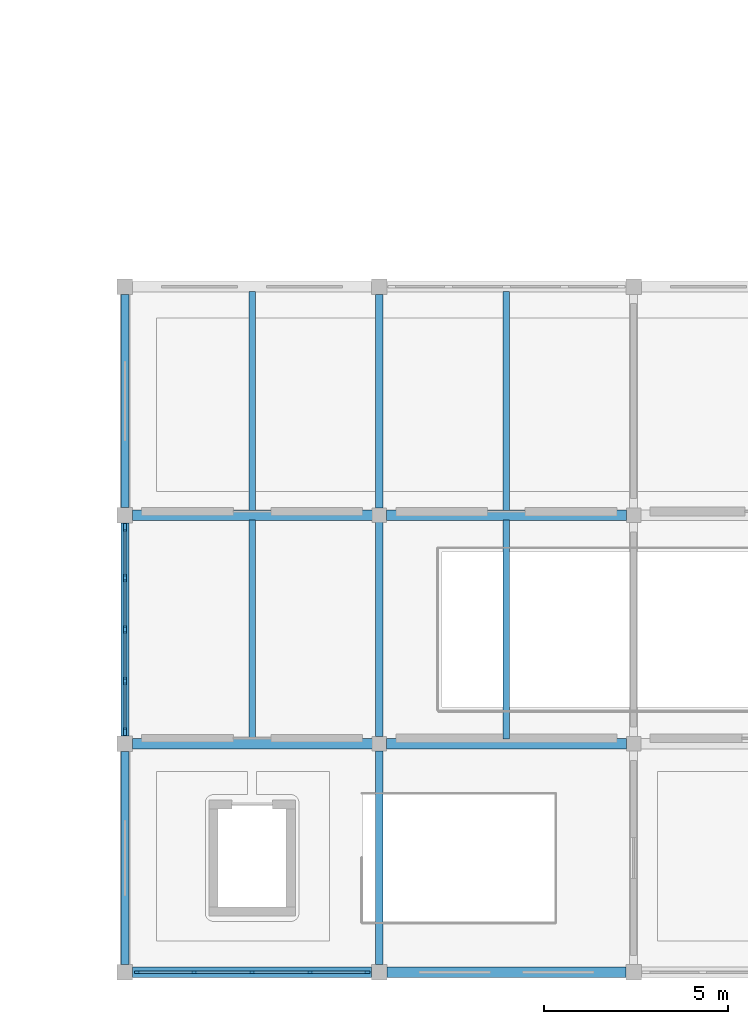
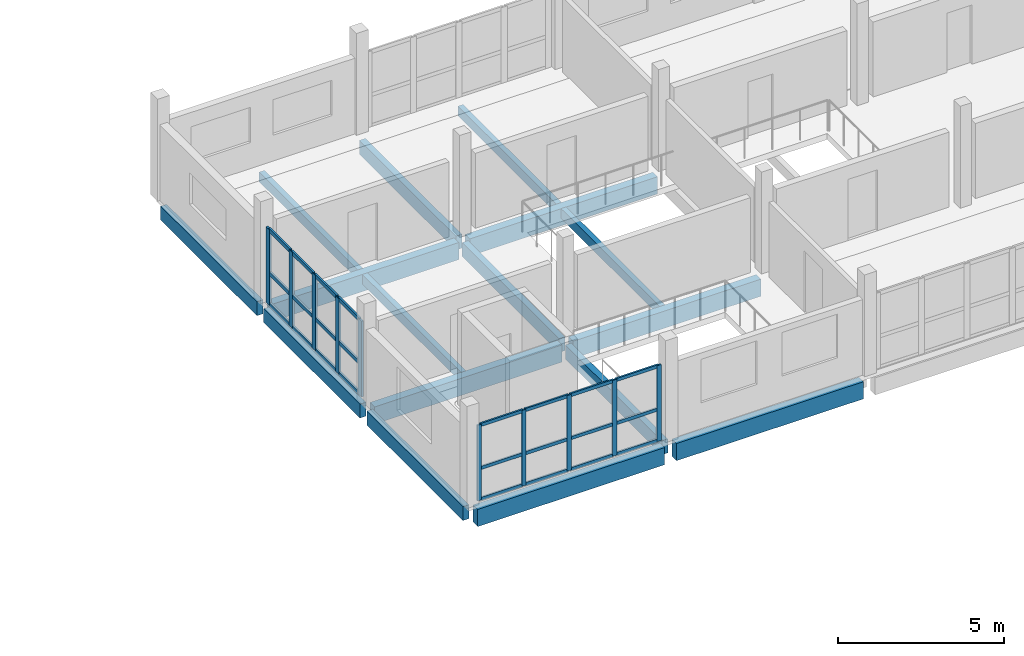
# One storey, part 25 of 77: 34 members, 16 beams, 2 elements without a shape of their own.
"""IFC4 building model written with IfcOpenShell, lengths in metres."""

from ifc_helpers import new_model, si_unit, direction, frame, origin, origin_2d, place, context, subcontext, project, spatial, rectangle, extrude, material, layer, layer_set, material_profile, profile_set, type_object, element, aggregate, save


model = new_model("IFC4")

# Units and contexts
model_context = context("Model", 3, precision=1e-05, world=origin(), true_north=direction((0.0, 1.0)))
body_context = subcontext(model_context, "Body", "Model", "MODEL_VIEW")
ifc_project = project(units=[si_unit("LENGTHUNIT", "METRE"), si_unit("AREAUNIT", "SQUARE_METRE"), si_unit("VOLUMEUNIT", "CUBIC_METRE"), si_unit("PLANEANGLEUNIT", "RADIAN"), si_unit("MASSUNIT", "GRAM", prefix="KILO")], contexts=[model_context])

# Site, building, storey
site_placement = place(None, origin())
site = spatial("IfcSite", under=ifc_project, at=site_placement, CompositionType="ELEMENT")
building_placement = place(site_placement, origin())
building = spatial("IfcBuilding", under=site, at=building_placement, Name="Caldaven Crescent School", CompositionType="ELEMENT")
storey_placement = place(building_placement, frame((0.0, 0.0, 4.419921875)))
storey = spatial("IfcBuildingStorey", under=building, at=storey_placement, Name="L01", CompositionType="ELEMENT", Elevation=4.419921875)

# Beams
ifc_material_1 = material(Name="Glulam MLE24h (GL28h)", Category="wood")
ifc_material_profile_1 = material_profile(ifc_material_1, rectangle(XDim=0.2099609375, YDim=0.510009765625, at=origin_2d()), Name="MLE 210x510")
ifc_profile_set_1 = profile_set([ifc_material_profile_1], Name="Glulam MLE24h (GL28h)")
beam_type_1 = type_object("IfcBeamType", Name="BM-GL51", PredefinedType="BEAM", material=ifc_profile_set_1)
for number, where, z_axis, x_axis, name in (
    (1, (122.89990234375, 4.405029296875, -0.474853515625), (0.0, 1.0, 0.0), (-1.0, 0.0, 0.0), "BMY-V3-L01-0479"),
    (2, (122.89990234375, 10.60498046875, -0.474853515625), (0.0, 1.0, 0.0), (-1.0, 0.0, 0.0), "BMY-V3-L01-0480"),
    (3, (122.89990234375, 16.804931640625, -0.474853515625), (0.0, 1.0, 0.0), (-1.0, 0.0, 0.0), "BMY-V3-L01-0481"),
):
    element("IfcBeam", number, at=place(storey_placement, frame(where, z_axis=z_axis, x_axis=x_axis)), inside=storey, type_object=beam_type_1, Name=name, PredefinedType="BEAM", context=body_context, shape_type="SweptSolid", body=[
        extrude(rectangle(XDim=0.2099609375, YDim=0.510009765625, at=origin_2d()), origin(), (0.0, 0.0, 1.0), 5.7900390625),
    ])
beam_1_placement = place(storey_placement, frame((129.800048828125, 4.405029296875, -0.474853515625), z_axis=(0.0, 1.0, 0.0), x_axis=(-1.0, 0.0, 0.0)))
element("IfcBeam", 4, at=beam_1_placement, inside=storey, type_object=beam_type_1, Name="BMY-V3-L01-0482", PredefinedType="BEAM", context=body_context, shape_type="SweptSolid", body=[
    extrude(rectangle(XDim=0.2099609375, YDim=0.510009765625, at=origin_2d()), origin(), (0.0, 0.0, 1.0), 5.804931640625),
])
beam_2_placement = place(storey_placement, frame((129.800048828125, 10.590087890625, -0.474853515625), z_axis=(0.0, 1.0, 0.0), x_axis=(-1.0, 0.0, 0.0)))
element("IfcBeam", 5, at=beam_2_placement, inside=storey, type_object=beam_type_1, Name="BMY-V3-L01-0483", PredefinedType="BEAM", context=body_context, shape_type="SweptSolid", body=[
    extrude(rectangle(XDim=0.2099609375, YDim=0.510009765625, at=origin_2d()), origin(), (0.0, 0.0, 1.0), 5.81982421875),
])
beam_3_placement = place(storey_placement, frame((129.800048828125, 16.7900390625, -0.474853515625), z_axis=(0.0, 1.0, 0.0), x_axis=(-1.0, 0.0, 0.0)))
element("IfcBeam", 6, at=beam_3_placement, inside=storey, type_object=beam_type_1, Name="BMY-V3-L01-0484", PredefinedType="BEAM", context=body_context, shape_type="SweptSolid", body=[
    extrude(rectangle(XDim=0.2099609375, YDim=0.510009765625, at=origin_2d()), origin(), (0.0, 0.0, 1.0), 5.804931640625),
])
ifc_material_profile_2 = material_profile(ifc_material_1, rectangle(XDim=0.280029296875, YDim=0.6298828125, at=origin_2d()), Name="MLE 280x630")
ifc_profile_set_2 = profile_set([ifc_material_profile_2], Name="Glulam MLE24h (GL28h)")
beam_type_2 = type_object("IfcBeamType", Name="BM-GL63", PredefinedType="BEAM", material=ifc_profile_set_2)
beam_4_placement = place(storey_placement, frame((123.10498046875, 4.199951171875, -0.534912109375), z_axis=(1.0, 0.0, 0.0), x_axis=(0.0, 1.0, 0.0)))
element("IfcBeam", 7, at=beam_4_placement, inside=storey, type_object=beam_type_2, Name="BMX-V3-L01-0463", PredefinedType="BEAM", context=body_context, shape_type="SweptSolid", body=[
    extrude(rectangle(XDim=0.280029296875, YDim=0.6298828125, at=origin_2d()), origin(), (0.0, 0.0, 1.0), 6.489990234375),
])
beam_5_placement = place(storey_placement, frame((130.0048828125, 4.199951171875, -0.534912109375), z_axis=(1.0, 0.0, 0.0), x_axis=(0.0, 1.0, 0.0)))
element("IfcBeam", 8, at=beam_5_placement, inside=storey, type_object=beam_type_2, Name="BMX-V3-L01-0464", PredefinedType="BEAM", context=body_context, shape_type="SweptSolid", body=[
    extrude(rectangle(XDim=0.280029296875, YDim=0.6298828125, at=origin_2d()), origin(), (0.0, 0.0, 1.0), 6.490234375),
])
beam_6_placement = place(storey_placement, frame((123.10498046875, 10.39990234375, -0.534912109375), z_axis=(1.0, 0.0, 0.0), x_axis=(0.0, 1.0, 0.0)))
element("IfcBeam", 9, at=beam_6_placement, inside=storey, type_object=beam_type_2, Name="BMX-V3-L01-0467", PredefinedType="BEAM", context=body_context, shape_type="SweptSolid", body=[
    extrude(rectangle(XDim=0.280029296875, YDim=0.6298828125, at=origin_2d()), origin(), (0.0, 0.0, 1.0), 6.505126953125),
])
beam_7_placement = place(storey_placement, frame((129.989990234375, 10.39990234375, -0.534912109375), z_axis=(1.0, 0.0, 0.0), x_axis=(0.0, 1.0, 0.0)))
element("IfcBeam", 10, at=beam_7_placement, inside=storey, type_object=beam_type_2, Name="BMX-V3-L01-0468", PredefinedType="BEAM", context=body_context, shape_type="SweptSolid", body=[
    extrude(rectangle(XDim=0.280029296875, YDim=0.6298828125, at=origin_2d()), origin(), (0.0, 0.0, 1.0), 6.52001953125),
])
beam_8_placement = place(storey_placement, frame((123.10498046875, 16.60009765625, -0.534912109375), z_axis=(1.0, 0.0, 0.0), x_axis=(0.0, 1.0, 0.0)))
element("IfcBeam", 11, at=beam_8_placement, inside=storey, type_object=beam_type_2, Name="BMX-V3-L01-0471", PredefinedType="BEAM", context=body_context, shape_type="SweptSolid", body=[
    extrude(rectangle(XDim=0.280029296875, YDim=0.6298828125, at=origin_2d()), origin(), (0.0, 0.0, 1.0), 6.505126953125),
])
beam_9_placement = place(storey_placement, frame((129.989990234375, 16.60009765625, -0.534912109375), z_axis=(1.0, 0.0, 0.0), x_axis=(0.0, 1.0, 0.0)))
element("IfcBeam", 12, at=beam_9_placement, inside=storey, type_object=beam_type_2, Name="BMX-V3-L01-0472", PredefinedType="BEAM", context=body_context, shape_type="SweptSolid", body=[
    extrude(rectangle(XDim=0.280029296875, YDim=0.6298828125, at=origin_2d()), origin(), (0.0, 0.0, 1.0), 6.52001953125),
])

# Curtain wall, members
ifc_material_2 = material(Name="Anodised aluminium AA 6063-T6 and low-E double glazing", Category="aluminium")
ifc_layer_1 = layer(ifc_material_2, 0.169921875)
ifc_layer_set_1 = layer_set([ifc_layer_1], Name="Anodised aluminium AA 6063-T6 and low-E double glazing")
curtain_wall_type_1 = type_object("IfcCurtainWallType", Name="CW-SYS1", PredefinedType="NOTDEFINED", material=ifc_layer_set_1)
curtain_wall_1_placement = place(storey_placement, origin())
curtain_wall_1 = element("IfcCurtainWall", 13, at=curtain_wall_1_placement, inside=storey, type_object=curtain_wall_type_1, Name="CW-L01-084", PredefinedType="NOTDEFINED")
ifc_material_3 = material(Name="Anodised aluminium AA 6063-T6", Category="aluminium")
ifc_material_profile_3 = material_profile(ifc_material_3, rectangle(XDim=0.06005859375, YDim=0.14990234375, at=origin_2d()), Name="CWM 60x150")
ifc_profile_set_3 = profile_set([ifc_material_profile_3], Name="Anodised aluminium AA 6063-T6")
member_type_1 = type_object("IfcMemberType", Name="CWM-T1", PredefinedType="MULLION", material=ifc_profile_set_3)
member_1_placement = place(storey_placement, frame((123.22998046875, 4.199951171875, 0.0), z_axis=(0.0, 0.0, 1.0), x_axis=(0.0, 1.0, 0.0)))
member_1 = element("IfcMember", 14, at=member_1_placement, type_object=member_type_1, Name="CW1 mullion 1", PredefinedType="MULLION", context=body_context, shape_type="SweptSolid", body=[
    extrude(rectangle(XDim=0.06005859375, YDim=0.14990234375, at=origin_2d()), origin(), (0.0, 0.0, 1.0), 2.780029296875),
])
member_2_placement = place(storey_placement, frame((124.77490234375, 4.199951171875, 0.0), z_axis=(0.0, 0.0, 1.0), x_axis=(0.0, 1.0, 0.0)))
member_2 = element("IfcMember", 15, at=member_2_placement, type_object=member_type_1, Name="CW1 mullion 2", PredefinedType="MULLION", context=body_context, shape_type="SweptSolid", body=[
    extrude(rectangle(XDim=0.06005859375, YDim=0.14990234375, at=origin_2d()), origin(), (0.0, 0.0, 1.0), 2.780029296875),
])
member_3_placement = place(storey_placement, frame((126.35009765625, 4.199951171875, 0.0), z_axis=(0.0, 0.0, 1.0), x_axis=(0.0, 1.0, 0.0)))
member_3 = element("IfcMember", 16, at=member_3_placement, type_object=member_type_1, Name="CW1 mullion 3", PredefinedType="MULLION", context=body_context, shape_type="SweptSolid", body=[
    extrude(rectangle(XDim=0.06005859375, YDim=0.14990234375, at=origin_2d()), origin(), (0.0, 0.0, 1.0), 2.780029296875),
])
member_4_placement = place(storey_placement, frame((127.925048828125, 4.199951171875, 0.0), z_axis=(0.0, 0.0, 1.0), x_axis=(0.0, 1.0, 0.0)))
member_4 = element("IfcMember", 17, at=member_4_placement, type_object=member_type_1, Name="CW1 mullion 4", PredefinedType="MULLION", context=body_context, shape_type="SweptSolid", body=[
    extrude(rectangle(XDim=0.06005859375, YDim=0.14990234375, at=origin_2d()), origin(), (0.0, 0.0, 1.0), 2.780029296875),
])
member_5_placement = place(storey_placement, frame((129.469970703125, 4.199951171875, 0.0), z_axis=(0.0, 0.0, 1.0), x_axis=(0.0, 1.0, 0.0)))
member_5 = element("IfcMember", 18, at=member_5_placement, type_object=member_type_1, Name="CW1 mullion 5", PredefinedType="MULLION", context=body_context, shape_type="SweptSolid", body=[
    extrude(rectangle(XDim=0.06005859375, YDim=0.14990234375, at=origin_2d()), origin(), (0.0, 0.0, 1.0), 2.780029296875),
])

ifc_layer_2 = layer(ifc_material_2, 0.2099609375)
ifc_layer_set_2 = layer_set([ifc_layer_2], Name="Anodised aluminium AA 6063-T6 and low-E double glazing")
curtain_wall_type_2 = type_object("IfcCurtainWallType", Name="CW-SYS3", PredefinedType="NOTDEFINED", material=ifc_layer_set_2)
curtain_wall_2_placement = place(storey_placement, origin())
curtain_wall_2 = element("IfcCurtainWall", 19, at=curtain_wall_2_placement, inside=storey, type_object=curtain_wall_type_2, Name="CW-L01-088", PredefinedType="NOTDEFINED")
ifc_material_profile_4 = material_profile(ifc_material_3, rectangle(XDim=0.070068359375, YDim=0.2099609375, at=origin_2d()), Name="CWM 70x210")
ifc_profile_set_4 = profile_set([ifc_material_profile_4], Name="Anodised aluminium AA 6063-T6")
member_type_2 = type_object("IfcMemberType", Name="CWM-T3", PredefinedType="MULLION", material=ifc_profile_set_4)
member_6_placement = place(storey_placement, frame((122.89990234375, 10.735107421875, 0.0), z_axis=(0.0, 0.0, 1.0), x_axis=(-1.0, 0.0, 0.0)))
member_6 = element("IfcMember", 20, at=member_6_placement, type_object=member_type_2, Name="CW3 mullion 1", PredefinedType="MULLION", context=body_context, shape_type="SweptSolid", body=[
    extrude(rectangle(XDim=0.070068359375, YDim=0.2099609375, at=origin_2d()), origin(), (0.0, 0.0, 1.0), 2.780029296875),
])
member_7_placement = place(storey_placement, frame((122.89990234375, 12.10009765625, 0.0), z_axis=(0.0, 0.0, 1.0), x_axis=(-1.0, 0.0, 0.0)))
member_7 = element("IfcMember", 21, at=member_7_placement, type_object=member_type_2, Name="CW3 mullion 2", PredefinedType="MULLION", context=body_context, shape_type="SweptSolid", body=[
    extrude(rectangle(XDim=0.070068359375, YDim=0.2099609375, at=origin_2d()), origin(), (0.0, 0.0, 1.0), 2.780029296875),
])
member_8_placement = place(storey_placement, frame((122.89990234375, 13.5, 0.0), z_axis=(0.0, 0.0, 1.0), x_axis=(-1.0, 0.0, 0.0)))
member_8 = element("IfcMember", 22, at=member_8_placement, type_object=member_type_2, Name="CW3 mullion 3", PredefinedType="MULLION", context=body_context, shape_type="SweptSolid", body=[
    extrude(rectangle(XDim=0.070068359375, YDim=0.2099609375, at=origin_2d()), origin(), (0.0, 0.0, 1.0), 2.780029296875),
])
member_9_placement = place(storey_placement, frame((122.89990234375, 14.89990234375, 0.0), z_axis=(0.0, 0.0, 1.0), x_axis=(-1.0, 0.0, 0.0)))
member_9 = element("IfcMember", 23, at=member_9_placement, type_object=member_type_2, Name="CW3 mullion 4", PredefinedType="MULLION", context=body_context, shape_type="SweptSolid", body=[
    extrude(rectangle(XDim=0.070068359375, YDim=0.2099609375, at=origin_2d()), origin(), (0.0, 0.0, 1.0), 2.780029296875),
])
member_10_placement = place(storey_placement, frame((122.89990234375, 16.264892578125, 0.0), z_axis=(0.0, 0.0, 1.0), x_axis=(-1.0, 0.0, 0.0)))
member_10 = element("IfcMember", 24, at=member_10_placement, type_object=member_type_2, Name="CW3 mullion 5", PredefinedType="MULLION", context=body_context, shape_type="SweptSolid", body=[
    extrude(rectangle(XDim=0.070068359375, YDim=0.2099609375, at=origin_2d()), origin(), (0.0, 0.0, 1.0), 2.780029296875),
])

# Member
ifc_material_profile_5 = material_profile(ifc_material_3, rectangle(XDim=0.06005859375, YDim=0.1201171875, at=origin_2d()), Name="CWT 60x120")
ifc_profile_set_5 = profile_set([ifc_material_profile_5], Name="Anodised aluminium AA 6063-T6")
member_type_3 = type_object("IfcMemberType", Name="CWT-T1", PredefinedType="USERDEFINED", material=ifc_profile_set_5)
member_11_placement = place(storey_placement, frame((123.260009765625, 4.199951171875, 0.030029296875), z_axis=(1.0, 0.0, 0.0), x_axis=(0.0, 1.0, 0.0)))
member_11 = element("IfcMember", 25, at=member_11_placement, type_object=member_type_3, Name="CW1 transom 1.1", ObjectType="TRANSOM", PredefinedType="USERDEFINED", context=body_context, shape_type="SweptSolid", body=[
    extrude(rectangle(XDim=0.06005859375, YDim=0.1201171875, at=origin_2d()), origin(), (0.0, 0.0, 1.0), 1.485107421875),
])

member_12_placement = place(storey_placement, frame((123.260009765625, 4.199951171875, 1.16796875), z_axis=(1.0, 0.0, 0.0), x_axis=(0.0, 1.0, 0.0)))
member_12 = element("IfcMember", 26, at=member_12_placement, type_object=member_type_3, Name="CW1 transom 1.2", ObjectType="TRANSOM", PredefinedType="USERDEFINED", context=body_context, shape_type="SweptSolid", body=[
    extrude(rectangle(XDim=0.06005859375, YDim=0.1201171875, at=origin_2d()), origin(), (0.0, 0.0, 1.0), 1.485107421875),
])

member_13_placement = place(storey_placement, frame((123.260009765625, 4.199951171875, 2.75), z_axis=(1.0, 0.0, 0.0), x_axis=(0.0, 1.0, 0.0)))
member_13 = element("IfcMember", 27, at=member_13_placement, type_object=member_type_3, Name="CW1 transom 1.3", ObjectType="TRANSOM", PredefinedType="USERDEFINED", context=body_context, shape_type="SweptSolid", body=[
    extrude(rectangle(XDim=0.06005859375, YDim=0.1201171875, at=origin_2d()), origin(), (0.0, 0.0, 1.0), 1.485107421875),
])

member_14_placement = place(storey_placement, frame((124.804931640625, 4.199951171875, 0.030029296875), z_axis=(1.0, 0.0, 0.0), x_axis=(0.0, 1.0, 0.0)))
member_14 = element("IfcMember", 28, at=member_14_placement, type_object=member_type_3, Name="CW1 transom 2.1", ObjectType="TRANSOM", PredefinedType="USERDEFINED", context=body_context, shape_type="SweptSolid", body=[
    extrude(rectangle(XDim=0.06005859375, YDim=0.1201171875, at=origin_2d()), origin(), (0.0, 0.0, 1.0), 1.51513671875),
])

member_15_placement = place(storey_placement, frame((124.804931640625, 4.199951171875, 1.16796875), z_axis=(1.0, 0.0, 0.0), x_axis=(0.0, 1.0, 0.0)))
member_15 = element("IfcMember", 29, at=member_15_placement, type_object=member_type_3, Name="CW1 transom 2.2", ObjectType="TRANSOM", PredefinedType="USERDEFINED", context=body_context, shape_type="SweptSolid", body=[
    extrude(rectangle(XDim=0.06005859375, YDim=0.1201171875, at=origin_2d()), origin(), (0.0, 0.0, 1.0), 1.51513671875),
])

member_16_placement = place(storey_placement, frame((124.804931640625, 4.199951171875, 2.75), z_axis=(1.0, 0.0, 0.0), x_axis=(0.0, 1.0, 0.0)))
member_16 = element("IfcMember", 30, at=member_16_placement, type_object=member_type_3, Name="CW1 transom 2.3", ObjectType="TRANSOM", PredefinedType="USERDEFINED", context=body_context, shape_type="SweptSolid", body=[
    extrude(rectangle(XDim=0.06005859375, YDim=0.1201171875, at=origin_2d()), origin(), (0.0, 0.0, 1.0), 1.51513671875),
])

member_17_placement = place(storey_placement, frame((126.3798828125, 4.199951171875, 0.030029296875), z_axis=(1.0, 0.0, 0.0), x_axis=(0.0, 1.0, 0.0)))
member_17 = element("IfcMember", 31, at=member_17_placement, type_object=member_type_3, Name="CW1 transom 3.1", ObjectType="TRANSOM", PredefinedType="USERDEFINED", context=body_context, shape_type="SweptSolid", body=[
    extrude(rectangle(XDim=0.06005859375, YDim=0.1201171875, at=origin_2d()), origin(), (0.0, 0.0, 1.0), 1.51513671875),
])

member_18_placement = place(storey_placement, frame((126.3798828125, 4.199951171875, 1.16796875), z_axis=(1.0, 0.0, 0.0), x_axis=(0.0, 1.0, 0.0)))
member_18 = element("IfcMember", 32, at=member_18_placement, type_object=member_type_3, Name="CW1 transom 3.2", ObjectType="TRANSOM", PredefinedType="USERDEFINED", context=body_context, shape_type="SweptSolid", body=[
    extrude(rectangle(XDim=0.06005859375, YDim=0.1201171875, at=origin_2d()), origin(), (0.0, 0.0, 1.0), 1.51513671875),
])

member_19_placement = place(storey_placement, frame((126.3798828125, 4.199951171875, 2.75), z_axis=(1.0, 0.0, 0.0), x_axis=(0.0, 1.0, 0.0)))
member_19 = element("IfcMember", 33, at=member_19_placement, type_object=member_type_3, Name="CW1 transom 3.3", ObjectType="TRANSOM", PredefinedType="USERDEFINED", context=body_context, shape_type="SweptSolid", body=[
    extrude(rectangle(XDim=0.06005859375, YDim=0.1201171875, at=origin_2d()), origin(), (0.0, 0.0, 1.0), 1.51513671875),
])

member_20_placement = place(storey_placement, frame((127.955078125, 4.199951171875, 0.030029296875), z_axis=(1.0, 0.0, 0.0), x_axis=(0.0, 1.0, 0.0)))
member_20 = element("IfcMember", 34, at=member_20_placement, type_object=member_type_3, Name="CW1 transom 4.1", ObjectType="TRANSOM", PredefinedType="USERDEFINED", context=body_context, shape_type="SweptSolid", body=[
    extrude(rectangle(XDim=0.06005859375, YDim=0.1201171875, at=origin_2d()), origin(), (0.0, 0.0, 1.0), 1.48486328125),
])

member_21_placement = place(storey_placement, frame((127.955078125, 4.199951171875, 1.16796875), z_axis=(1.0, 0.0, 0.0), x_axis=(0.0, 1.0, 0.0)))
member_21 = element("IfcMember", 35, at=member_21_placement, type_object=member_type_3, Name="CW1 transom 4.2", ObjectType="TRANSOM", PredefinedType="USERDEFINED", context=body_context, shape_type="SweptSolid", body=[
    extrude(rectangle(XDim=0.06005859375, YDim=0.1201171875, at=origin_2d()), origin(), (0.0, 0.0, 1.0), 1.48486328125),
])

member_22_placement = place(storey_placement, frame((127.955078125, 4.199951171875, 2.75), z_axis=(1.0, 0.0, 0.0), x_axis=(0.0, 1.0, 0.0)))
member_22 = element("IfcMember", 36, at=member_22_placement, type_object=member_type_3, Name="CW1 transom 4.3", ObjectType="TRANSOM", PredefinedType="USERDEFINED", context=body_context, shape_type="SweptSolid", body=[
    extrude(rectangle(XDim=0.06005859375, YDim=0.1201171875, at=origin_2d()), origin(), (0.0, 0.0, 1.0), 1.48486328125),
])

aggregate(curtain_wall_1, [member_1, member_2, member_3, member_4, member_5, member_11, member_12, member_13, member_14, member_15, member_16, member_17, member_18, member_19, member_20, member_21, member_22])

ifc_material_profile_6 = material_profile(ifc_material_3, rectangle(XDim=0.06494140625, YDim=0.139892578125, at=origin_2d()), Name="CWT 65x140")
ifc_profile_set_6 = profile_set([ifc_material_profile_6], Name="Anodised aluminium AA 6063-T6")
member_type_4 = type_object("IfcMemberType", Name="CWT-T2", PredefinedType="USERDEFINED", material=ifc_profile_set_6)
member_23_placement = place(storey_placement, frame((122.89990234375, 10.77001953125, 0.032470703125), z_axis=(0.0, 1.0, 0.0), x_axis=(-1.0, 0.0, 0.0)))
member_23 = element("IfcMember", 37, at=member_23_placement, type_object=member_type_4, Name="CW3 transom 1.1", ObjectType="TRANSOM", PredefinedType="USERDEFINED", context=body_context, shape_type="SweptSolid", body=[
    extrude(rectangle(XDim=0.06494140625, YDim=0.139892578125, at=origin_2d()), origin(), (0.0, 0.0, 1.0), 1.294921875),
])

member_24_placement = place(storey_placement, frame((122.89990234375, 10.77001953125, 1.16796875), z_axis=(0.0, 1.0, 0.0), x_axis=(-1.0, 0.0, 0.0)))
member_24 = element("IfcMember", 38, at=member_24_placement, type_object=member_type_4, Name="CW3 transom 1.2", ObjectType="TRANSOM", PredefinedType="USERDEFINED", context=body_context, shape_type="SweptSolid", body=[
    extrude(rectangle(XDim=0.06494140625, YDim=0.139892578125, at=origin_2d()), origin(), (0.0, 0.0, 1.0), 1.294921875),
])

member_25_placement = place(storey_placement, frame((122.89990234375, 10.77001953125, 2.74755859375), z_axis=(0.0, 1.0, 0.0), x_axis=(-1.0, 0.0, 0.0)))
member_25 = element("IfcMember", 39, at=member_25_placement, type_object=member_type_4, Name="CW3 transom 1.3", ObjectType="TRANSOM", PredefinedType="USERDEFINED", context=body_context, shape_type="SweptSolid", body=[
    extrude(rectangle(XDim=0.06494140625, YDim=0.139892578125, at=origin_2d()), origin(), (0.0, 0.0, 1.0), 1.294921875),
])

member_26_placement = place(storey_placement, frame((122.89990234375, 12.135009765625, 0.032470703125), z_axis=(0.0, 1.0, 0.0), x_axis=(-1.0, 0.0, 0.0)))
member_26 = element("IfcMember", 40, at=member_26_placement, type_object=member_type_4, Name="CW3 transom 2.1", ObjectType="TRANSOM", PredefinedType="USERDEFINED", context=body_context, shape_type="SweptSolid", body=[
    extrude(rectangle(XDim=0.06494140625, YDim=0.139892578125, at=origin_2d()), origin(), (0.0, 0.0, 1.0), 1.330078125),
])

member_27_placement = place(storey_placement, frame((122.89990234375, 12.135009765625, 1.16796875), z_axis=(0.0, 1.0, 0.0), x_axis=(-1.0, 0.0, 0.0)))
member_27 = element("IfcMember", 41, at=member_27_placement, type_object=member_type_4, Name="CW3 transom 2.2", ObjectType="TRANSOM", PredefinedType="USERDEFINED", context=body_context, shape_type="SweptSolid", body=[
    extrude(rectangle(XDim=0.06494140625, YDim=0.139892578125, at=origin_2d()), origin(), (0.0, 0.0, 1.0), 1.330078125),
])

member_28_placement = place(storey_placement, frame((122.89990234375, 12.135009765625, 2.74755859375), z_axis=(0.0, 1.0, 0.0), x_axis=(-1.0, 0.0, 0.0)))
member_28 = element("IfcMember", 42, at=member_28_placement, type_object=member_type_4, Name="CW3 transom 2.3", ObjectType="TRANSOM", PredefinedType="USERDEFINED", context=body_context, shape_type="SweptSolid", body=[
    extrude(rectangle(XDim=0.06494140625, YDim=0.139892578125, at=origin_2d()), origin(), (0.0, 0.0, 1.0), 1.330078125),
])

member_29_placement = place(storey_placement, frame((122.89990234375, 13.534912109375, 0.032470703125), z_axis=(0.0, 1.0, 0.0), x_axis=(-1.0, 0.0, 0.0)))
member_29 = element("IfcMember", 43, at=member_29_placement, type_object=member_type_4, Name="CW3 transom 3.1", ObjectType="TRANSOM", PredefinedType="USERDEFINED", context=body_context, shape_type="SweptSolid", body=[
    extrude(rectangle(XDim=0.06494140625, YDim=0.139892578125, at=origin_2d()), origin(), (0.0, 0.0, 1.0), 1.330078125),
])

member_30_placement = place(storey_placement, frame((122.89990234375, 13.534912109375, 1.16796875), z_axis=(0.0, 1.0, 0.0), x_axis=(-1.0, 0.0, 0.0)))
member_30 = element("IfcMember", 44, at=member_30_placement, type_object=member_type_4, Name="CW3 transom 3.2", ObjectType="TRANSOM", PredefinedType="USERDEFINED", context=body_context, shape_type="SweptSolid", body=[
    extrude(rectangle(XDim=0.06494140625, YDim=0.139892578125, at=origin_2d()), origin(), (0.0, 0.0, 1.0), 1.330078125),
])

member_31_placement = place(storey_placement, frame((122.89990234375, 13.534912109375, 2.74755859375), z_axis=(0.0, 1.0, 0.0), x_axis=(-1.0, 0.0, 0.0)))
member_31 = element("IfcMember", 45, at=member_31_placement, type_object=member_type_4, Name="CW3 transom 3.3", ObjectType="TRANSOM", PredefinedType="USERDEFINED", context=body_context, shape_type="SweptSolid", body=[
    extrude(rectangle(XDim=0.06494140625, YDim=0.139892578125, at=origin_2d()), origin(), (0.0, 0.0, 1.0), 1.330078125),
])

member_32_placement = place(storey_placement, frame((122.89990234375, 14.93505859375, 0.032470703125), z_axis=(0.0, 1.0, 0.0), x_axis=(-1.0, 0.0, 0.0)))
member_32 = element("IfcMember", 46, at=member_32_placement, type_object=member_type_4, Name="CW3 transom 4.1", ObjectType="TRANSOM", PredefinedType="USERDEFINED", context=body_context, shape_type="SweptSolid", body=[
    extrude(rectangle(XDim=0.06494140625, YDim=0.139892578125, at=origin_2d()), origin(), (0.0, 0.0, 1.0), 1.294921875),
])

member_33_placement = place(storey_placement, frame((122.89990234375, 14.93505859375, 1.16796875), z_axis=(0.0, 1.0, 0.0), x_axis=(-1.0, 0.0, 0.0)))
member_33 = element("IfcMember", 47, at=member_33_placement, type_object=member_type_4, Name="CW3 transom 4.2", ObjectType="TRANSOM", PredefinedType="USERDEFINED", context=body_context, shape_type="SweptSolid", body=[
    extrude(rectangle(XDim=0.06494140625, YDim=0.139892578125, at=origin_2d()), origin(), (0.0, 0.0, 1.0), 1.294921875),
])

member_34_placement = place(storey_placement, frame((122.89990234375, 14.93505859375, 2.74755859375), z_axis=(0.0, 1.0, 0.0), x_axis=(-1.0, 0.0, 0.0)))
member_34 = element("IfcMember", 48, at=member_34_placement, type_object=member_type_4, Name="CW3 transom 4.3", ObjectType="TRANSOM", PredefinedType="USERDEFINED", context=body_context, shape_type="SweptSolid", body=[
    extrude(rectangle(XDim=0.06494140625, YDim=0.139892578125, at=origin_2d()), origin(), (0.0, 0.0, 1.0), 1.294921875),
])

aggregate(curtain_wall_2, [member_6, member_7, member_8, member_9, member_10, member_23, member_24, member_25, member_26, member_27, member_28, member_29, member_30, member_31, member_32, member_33, member_34])

# Beams
ifc_material_profile_7 = material_profile(ifc_material_1, rectangle(XDim=0.179931640625, YDim=0.360107421875, at=origin_2d()), Name="MLE 180x360")
ifc_profile_set_7 = profile_set([ifc_material_profile_7], Name="Glulam MLE24h (GL28h)")
beam_type_3 = type_object("IfcBeamType", Name="JS-GL36", PredefinedType="JOIST", material=ifc_profile_set_7)
beam_10_placement = place(storey_placement, frame((126.35009765625, 10.534912109375, -0.39990234375), z_axis=(0.0, 1.0, 0.0), x_axis=(-1.0, 0.0, 0.0)))
element("IfcBeam", 49, at=beam_10_placement, inside=storey, type_object=beam_type_3, Name="JS-V3-L01-0494", PredefinedType="JOIST", context=body_context, shape_type="SweptSolid", body=[
    extrude(rectangle(XDim=0.179931640625, YDim=0.360107421875, at=origin_2d()), origin(), (0.0, 0.0, 1.0), 5.93017578125),
])
beam_11_placement = place(storey_placement, frame((126.35009765625, 16.735107421875, -0.39990234375), z_axis=(0.0, 1.0, 0.0), x_axis=(-1.0, 0.0, 0.0)))
element("IfcBeam", 50, at=beam_11_placement, inside=storey, type_object=beam_type_3, Name="JS-V3-L01-0495", PredefinedType="JOIST", context=body_context, shape_type="SweptSolid", body=[
    extrude(rectangle(XDim=0.179931640625, YDim=0.360107421875, at=origin_2d()), origin(), (0.0, 0.0, 1.0), 5.929931640625),
])
beam_12_placement = place(storey_placement, frame((133.25, 10.534912109375, -0.39990234375), z_axis=(0.0, 1.0, 0.0), x_axis=(-1.0, 0.0, 0.0)))
element("IfcBeam", 51, at=beam_12_placement, inside=storey, type_object=beam_type_3, Name="JS-V3-L01-0496", PredefinedType="JOIST", context=body_context, shape_type="SweptSolid", body=[
    extrude(rectangle(XDim=0.179931640625, YDim=0.360107421875, at=origin_2d()), origin(), (0.0, 0.0, 1.0), 5.93017578125),
])
beam_13_placement = place(storey_placement, frame((133.25, 16.735107421875, -0.39990234375), z_axis=(0.0, 1.0, 0.0), x_axis=(-1.0, 0.0, 0.0)))
element("IfcBeam", 52, at=beam_13_placement, inside=storey, type_object=beam_type_3, Name="JS-V3-L01-0497", PredefinedType="JOIST", context=body_context, shape_type="SweptSolid", body=[
    extrude(rectangle(XDim=0.179931640625, YDim=0.360107421875, at=origin_2d()), origin(), (0.0, 0.0, 1.0), 5.929931640625),
])

save(model, "model.ifc")
